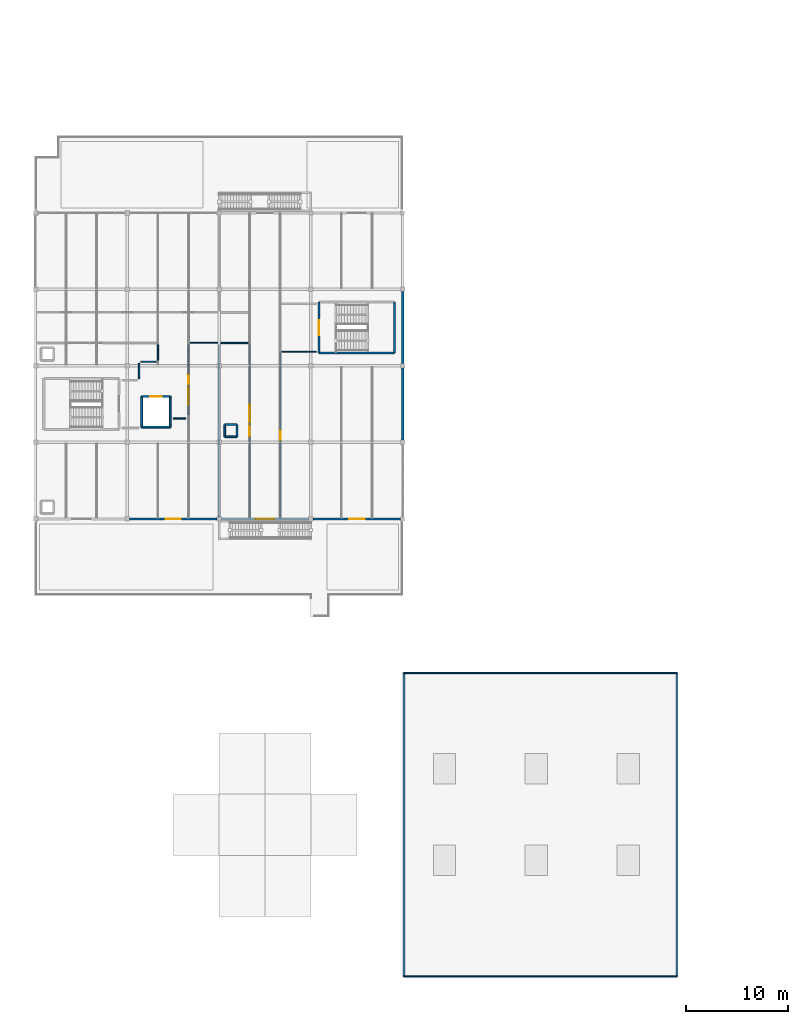
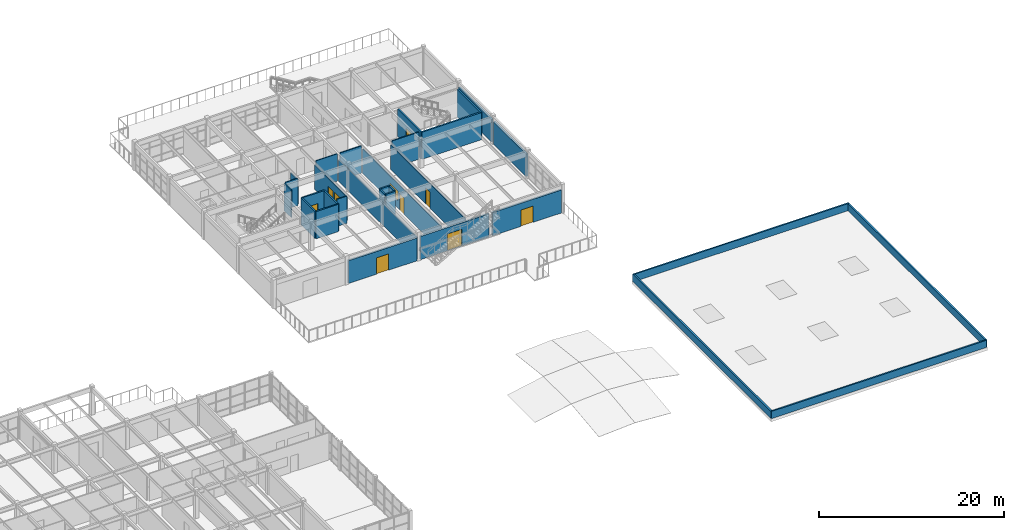
# One storey, part 38 of 45: 31 walls, 8 doors, 2 windows, 10 openings.
"""IFC4 building model written with IfcOpenShell, lengths in metres."""

from ifc_helpers import new_model, si_unit, direction, frame, frame_2d, origin, place, context, subcontext, project, spatial, rectangle, extrude, material, layer, layer_set, type_object, element, fill, save


model = new_model("IFC4")

# Units and contexts
model_context = context("Model", 3, precision=1e-05, world=origin(), true_north=direction((0.0, 1.0)))
body_context = subcontext(model_context, "Body", "Model", "MODEL_VIEW")
ifc_project = project(units=[si_unit("LENGTHUNIT", "METRE"), si_unit("AREAUNIT", "SQUARE_METRE"), si_unit("VOLUMEUNIT", "CUBIC_METRE"), si_unit("PLANEANGLEUNIT", "RADIAN"), si_unit("MASSUNIT", "GRAM", prefix="KILO")], contexts=[model_context])

# Site, building, storey
site_placement = place(None, origin())
site = spatial("IfcSite", under=ifc_project, at=site_placement, CompositionType="ELEMENT")
building_placement = place(site_placement, origin())
building = spatial("IfcBuilding", under=site, at=building_placement, Name="Marnridge Secondary College", CompositionType="ELEMENT")
storey_placement = place(building_placement, frame((0.0, 0.0, 12.300048828125)))
storey = spatial("IfcBuildingStorey", under=building, at=storey_placement, Name="L03", CompositionType="ELEMENT", Elevation=12.300048828125)

# Walls
ifc_material_1 = material(Name="Concrete C40/50 (AS 3600 N40, 40 MPa)", Category="concrete")
ifc_layer_1 = layer(ifc_material_1, 0.199951171875)
ifc_layer_set_1 = layer_set([ifc_layer_1], Name="WT-CORE-RC200")
wall_type_1 = type_object("IfcWallType", Name="WT-CORE-RC200", PredefinedType="SHEAR", material=ifc_layer_set_1)
wall_1_placement = place(storey_placement, frame((81.800048828125, 61.25, 0.0), z_axis=(0.0, 0.0, 1.0), x_axis=(1.0, 0.0, 0.0)))
element("IfcWall", 1, at=wall_1_placement, inside=storey, type_object=wall_type_1, Name="Stair core shear wall WC-L03-0285", PredefinedType="SHEAR", context=body_context, shape_type="SweptSolid", body=[
    extrude(rectangle(XDim=7.39990234375, YDim=0.199951171875, at=frame_2d((3.699951171875, 0.0))), origin(), (0.0, 0.0, 1.0), 3.58984375),
])
wall_2_placement = place(storey_placement, frame((89.199951171875, 61.25, 0.0), z_axis=(0.0, 0.0, 1.0), x_axis=(0.0, 1.0, 0.0)))
element("IfcWall", 2, at=wall_2_placement, inside=storey, type_object=wall_type_1, Name="Stair core shear wall WC-L03-0286", PredefinedType="SHEAR", context=body_context, shape_type="SweptSolid", body=[
    extrude(rectangle(XDim=5.0, YDim=0.199951171875, at=frame_2d((2.5, 0.0))), origin(), (0.0, 0.0, 1.0), 3.58984375),
])

# Wall, opening, door
wall_3_placement = place(storey_placement, frame((81.800048828125, 66.25, 0.0), z_axis=(0.0, 0.0, 1.0), x_axis=(0.0, -1.0, 0.0)))
wall_3 = element("IfcWall", 3, at=wall_3_placement, inside=storey, type_object=wall_type_1, Name="Stair core shear wall WC-L03-0288", PredefinedType="SHEAR", context=body_context, shape_type="SweptSolid", body=[
    extrude(rectangle(XDim=5.0, YDim=0.199951171875, at=frame_2d((2.5, 0.0))), origin(), (0.0, 0.0, 1.0), 3.58984375),
])
opening_1_placement = place(wall_3_placement, frame((1.75, 0.0, 0.0)))
opening_1 = element("IfcOpeningElement", 4, at=opening_1_placement, cuts=wall_3, Name="Opening DC-L03-010", PredefinedType="OPENING", context=body_context, shape_type="SweptSolid", body=[
    extrude(rectangle(XDim=1.5, YDim=2.14990234375, at=frame_2d((0.75, 1.074951171875))), frame((0.0, 0.10986328125, 0.0), z_axis=(0.0, -1.0, 0.0), x_axis=(1.0, 0.0, 0.0)), (0.0, 0.0, 1.0), 0.219970703125),
])
ifc_material_2 = material(Name="Fire-rated solid-core timber doorset", Category="wood")
door_type_1 = type_object("IfcDoorType", Name="DT-CORE-FD150", OperationType="DOUBLE_DOOR_SINGLE_SWING", PredefinedType="DOOR", material=ifc_material_2)
door_1_placement = place(opening_1_placement, origin())
door_1 = element("IfcDoor", 5, at=door_1_placement, inside=storey, type_object=door_type_1, Name="Fire stair door DC-L03-010", OperationType="DOUBLE_DOOR_SINGLE_SWING", OverallHeight=2.14990234375, OverallWidth=1.5, PredefinedType="DOOR", context=body_context, shape_type="SweptSolid", body=[
    extrude(rectangle(XDim=1.5, YDim=2.14990234375, at=frame_2d((0.75, 1.074951171875))), frame((0.0, 0.02490234375, 0.0), z_axis=(0.0, -1.0, 0.0), x_axis=(1.0, 0.0, 0.0)), (0.0, 0.0, 1.0), 0.050048828125),
])
fill(opening_1, door_1)

# Walls
ifc_material_3 = material(Name="Cross-laminated timber CL5", Category="wood")
ifc_layer_2 = layer(ifc_material_3, 0.215087890625)
ifc_layer_set_2 = layer_set([ifc_layer_2], Name="WT-EXT-CLT215")
wall_type_2 = type_object("IfcWallType", Name="WT-EXT-CLT215", PredefinedType="SOLIDWALL", material=ifc_layer_set_2)
for number, where, z_axis, x_axis, name in (
    (6, (90.0, 67.279052734375, 0.0), (0.0, 0.0, 1.0), (0.0, -1.0, 0.0), "Exterior wall WE-L03-0167"),
    (7, (90.0, 59.779052734375, 0.0), (0.0, 0.0, 1.0), (0.0, -1.0, 0.0), "Exterior wall WE-L03-0168"),
):
    element("IfcWall", number, at=place(storey_placement, frame(where, z_axis=z_axis, x_axis=x_axis)), inside=storey, type_object=wall_type_2, Name=name, PredefinedType="SOLIDWALL", context=body_context, shape_type="SweptSolid", body=[
        extrude(rectangle(XDim=7.05810546875, YDim=0.215087890625, at=frame_2d((3.529052734375, 0.0))), origin(), (0.0, 0.0, 1.0), 2.9970703125),
    ])

# Wall, opening, door
wall_4_placement = place(storey_placement, frame((89.803955078125, 45.0, 0.0), z_axis=(0.0, 0.0, 1.0), x_axis=(-1.0, 0.0, 0.0)))
wall_4 = element("IfcWall", 8, at=wall_4_placement, inside=storey, type_object=wall_type_2, Name="Exterior wall WE-L03-0169", PredefinedType="SOLIDWALL", context=body_context, shape_type="SweptSolid", body=[
    extrude(rectangle(XDim=8.5830078125, YDim=0.215087890625, at=frame_2d((4.29150390625, 0.0))), origin(), (0.0, 0.0, 1.0), 3.046875),
])
opening_2_placement = place(wall_4_placement, frame((3.54150390625, 0.0, 0.0)))
opening_2 = element("IfcOpeningElement", 9, at=opening_2_placement, cuts=wall_4, Name="Opening DE-L03-032", PredefinedType="OPENING", context=body_context, shape_type="SweptSolid", body=[
    extrude(rectangle(XDim=1.5, YDim=2.14990234375, at=frame_2d((0.75, 1.074951171875))), frame((0.0, 0.117431640625, 0.0), z_axis=(0.0, -1.0, 0.0), x_axis=(1.0, 0.0, 0.0)), (0.0, 0.0, 1.0), 0.235107421875),
])
ifc_material_4 = material(Name="Thermally broken timber-aluminium terrace doorset", Category="wood")
door_type_2 = type_object("IfcDoorType", Name="DT-EXT-TER150", OperationType="DOUBLE_DOOR_SINGLE_SWING", PredefinedType="DOOR", material=ifc_material_4)
door_2_placement = place(opening_2_placement, origin())
door_2 = element("IfcDoor", 10, at=door_2_placement, inside=storey, type_object=door_type_2, Name="Play deck access door DE-L03-032", OperationType="DOUBLE_DOOR_SINGLE_SWING", OverallHeight=2.14990234375, OverallWidth=1.5, PredefinedType="DOOR", context=body_context, shape_type="SweptSolid", body=[
    extrude(rectangle(XDim=1.5, YDim=2.14990234375, at=frame_2d((0.75, 1.074951171875))), frame((0.0, 0.02490234375, 0.0), z_axis=(0.0, -1.0, 0.0), x_axis=(1.0, 0.0, 0.0)), (0.0, 0.0, 1.0), 0.050048828125),
])
fill(opening_2, door_2)

wall_5_placement = place(storey_placement, frame((80.779052734375, 45.0, 0.0), z_axis=(0.0, 0.0, 1.0), x_axis=(-1.0, 0.0, 0.0)))
wall_5 = element("IfcWall", 11, at=wall_5_placement, inside=storey, type_object=wall_type_2, Name="Exterior wall WE-L03-0170", PredefinedType="SOLIDWALL", context=body_context, shape_type="SweptSolid", body=[
    extrude(rectangle(XDim=8.55810546875, YDim=0.215087890625, at=frame_2d((4.279052734375, 0.0))), origin(), (0.0, 0.0, 1.0), 3.046875),
])
opening_3_placement = place(wall_5_placement, frame((3.37890625, 0.0, 0.0)))
opening_3 = element("IfcOpeningElement", 12, at=opening_3_placement, cuts=wall_5, Name="Opening DE-L03-033", PredefinedType="OPENING", context=body_context, shape_type="SweptSolid", body=[
    extrude(rectangle(XDim=1.800048828125, YDim=2.199951171875, at=frame_2d((0.89990234375, 1.10009765625))), frame((0.0, 0.117431640625, 0.0), z_axis=(0.0, -1.0, 0.0), x_axis=(1.0, 0.0, 0.0)), (0.0, 0.0, 1.0), 0.235107421875),
])
ifc_material_5 = material(Name="Thermally broken timber-aluminium terrace doorset", Category="wood")
door_type_3 = type_object("IfcDoorType", Name="DT-EXT-TER180", OperationType="DOUBLE_DOOR_SINGLE_SWING", PredefinedType="DOOR", material=ifc_material_5)
door_3_placement = place(opening_3_placement, origin())
door_3 = element("IfcDoor", 13, at=door_3_placement, inside=storey, type_object=door_type_3, Name="Play deck access door DE-L03-033", OperationType="DOUBLE_DOOR_SINGLE_SWING", OverallHeight=2.199951171875, OverallWidth=1.800048828125, PredefinedType="DOOR", context=body_context, shape_type="SweptSolid", body=[
    extrude(rectangle(XDim=1.800048828125, YDim=2.199951171875, at=frame_2d((0.89990234375, 1.10009765625))), frame((0.0, 0.02490234375, 0.0), z_axis=(0.0, -1.0, 0.0), x_axis=(1.0, 0.0, 0.0)), (0.0, 0.0, 1.0), 0.050048828125),
])
fill(opening_3, door_3)

wall_6_placement = place(storey_placement, frame((71.779052734375, 45.0, 0.0), z_axis=(0.0, 0.0, 1.0), x_axis=(-1.0, 0.0, 0.0)))
wall_6 = element("IfcWall", 14, at=wall_6_placement, inside=storey, type_object=wall_type_2, Name="Exterior wall WE-L03-0171", PredefinedType="SOLIDWALL", context=body_context, shape_type="SweptSolid", body=[
    extrude(rectangle(XDim=8.55810546875, YDim=0.215087890625, at=frame_2d((4.279052734375, 0.0))), origin(), (0.0, 0.0, 1.0), 2.9970703125),
])
opening_4_placement = place(wall_6_placement, frame((3.529052734375, 0.0, 0.0)))
opening_4 = element("IfcOpeningElement", 15, at=opening_4_placement, cuts=wall_6, Name="Opening DE-L03-034", PredefinedType="OPENING", context=body_context, shape_type="SweptSolid", body=[
    extrude(rectangle(XDim=1.5, YDim=2.14990234375, at=frame_2d((0.75, 1.074951171875))), frame((0.0, 0.117431640625, 0.0), z_axis=(0.0, -1.0, 0.0), x_axis=(1.0, 0.0, 0.0)), (0.0, 0.0, 1.0), 0.235107421875),
])
door_4_placement = place(opening_4_placement, origin())
door_4 = element("IfcDoor", 16, at=door_4_placement, inside=storey, type_object=door_type_2, Name="Play deck access door DE-L03-034", OperationType="DOUBLE_DOOR_SINGLE_SWING", OverallHeight=2.14990234375, OverallWidth=1.5, PredefinedType="DOOR", context=body_context, shape_type="SweptSolid", body=[
    extrude(rectangle(XDim=1.5, YDim=2.14990234375, at=frame_2d((0.75, 1.074951171875))), frame((0.0, 0.02490234375, 0.0), z_axis=(0.0, -1.0, 0.0), x_axis=(1.0, 0.0, 0.0)), (0.0, 0.0, 1.0), 0.050048828125),
])
fill(opening_4, door_4)

# Walls
ifc_material_6 = material(Name="Precast concrete C40/50 (AS 3600 N40, 40 MPa)", Category="concrete")
ifc_layer_3 = layer(ifc_material_6, 0.179931640625)
ifc_layer_set_3 = layer_set([ifc_layer_3], Name="WT-PAR-RC180")
wall_type_3 = type_object("IfcWallType", Name="WT-PAR-RC180", PredefinedType="PARAPET", material=ifc_layer_set_3)
for number, where, z_axis, x_axis, name in (
    (17, (90.10009765625, 29.8798828125, 0.0), (0.0, 0.0, 1.0), (1.0, 0.0, 0.0), "Roof parapet WP-005"),
    (18, (116.89990234375, 0.1201171875, 0.0), (0.0, 0.0, 1.0), (-1.0, 0.0, 0.0), "Roof parapet WP-007"),
):
    element("IfcWall", number, at=place(storey_placement, frame(where, z_axis=z_axis, x_axis=x_axis)), inside=storey, type_object=wall_type_3, Name=name, PredefinedType="PARAPET", context=body_context, shape_type="SweptSolid", body=[
        extrude(rectangle(XDim=26.7998046875, YDim=0.179931640625, at=frame_2d((13.39990234375, 0.0))), origin(), (0.0, 0.0, 1.0), 0.949951171875),
    ])
ifc_material_7 = material(Name="Precast concrete C40/50 (AS 3600 N40, 40 MPa)", Category="concrete")
ifc_layer_4 = layer(ifc_material_7, 0.199951171875)
ifc_layer_set_4 = layer_set([ifc_layer_4], Name="WT-PAR-RC200")
wall_type_4 = type_object("IfcWallType", Name="WT-PAR-RC200", PredefinedType="PARAPET", material=ifc_layer_set_4)
for number, where, z_axis, x_axis, name in (
    (19, (116.8798828125, 29.89990234375, 0.0), (0.0, 0.0, 1.0), (0.0, -1.0, 0.0), "Roof parapet WP-006"),
    (20, (90.1201171875, 0.10009765625, 0.0), (0.0, 0.0, 1.0), (0.0, 1.0, 0.0), "Roof parapet WP-008"),
):
    element("IfcWall", number, at=place(storey_placement, frame(where, z_axis=z_axis, x_axis=x_axis)), inside=storey, type_object=wall_type_4, Name=name, PredefinedType="PARAPET", context=body_context, shape_type="SweptSolid", body=[
        extrude(rectangle(XDim=29.7998046875, YDim=0.199951171875, at=frame_2d((14.89990234375, 0.0))), origin(), (0.0, 0.0, 1.0), 0.949951171875),
    ])
ifc_material_8 = material(Name="Acoustic plasterboard partition Rw45", Category="gypsum")
ifc_layer_5 = layer(ifc_material_8, 0.1201171875)
ifc_layer_set_5 = layer_set([ifc_layer_5], Name="WT-PART-AC120")
wall_type_5 = type_object("IfcWallType", Name="WT-PART-AC120", PredefinedType="PARTITIONING", material=ifc_layer_set_5)
wall_7_placement = place(storey_placement, frame((68.739990234375, 54.85009765625, 0.0), z_axis=(0.0, 0.0, 1.0), x_axis=(-1.0, 0.0, 0.0)))
element("IfcWall", 21, at=wall_7_placement, inside=storey, type_object=wall_type_5, Name="Interior partition WP-L03-0331", PredefinedType="PARTITIONING", context=body_context, shape_type="SweptSolid", body=[
    extrude(rectangle(XDim=1.239990234375, YDim=0.1201171875, at=frame_2d((0.6201171875, 0.0))), origin(), (0.0, 0.0, 1.0), 3.58984375),
])

# Wall, openings, door, window
wall_8_placement = place(storey_placement, frame((75.0, 45.159912109375, 0.0), z_axis=(0.0, 0.0, 1.0), x_axis=(0.0, 1.0, 0.0)))
wall_8 = element("IfcWall", 22, at=wall_8_placement, inside=storey, type_object=wall_type_5, Name="Interior partition WP-L03-0333", PredefinedType="PARTITIONING", context=body_context, shape_type="SweptSolid", body=[
    extrude(rectangle(XDim=16.93017578125, YDim=0.1201171875, at=frame_2d((8.465087890625, 0.0))), origin(), (0.0, 0.0, 1.0), 3.221923828125),
])
opening_5_placement = place(wall_8_placement, frame((7.965087890625, 0.0, 0.0)))
opening_5 = element("IfcOpeningElement", 23, at=opening_5_placement, cuts=wall_8, Name="Opening DI-L03-0120", PredefinedType="OPENING", context=body_context, shape_type="SweptSolid", body=[
    extrude(rectangle(XDim=1.0, YDim=2.14990234375, at=frame_2d((0.5, 1.074951171875))), frame((0.0, 0.070068359375, 0.0), z_axis=(0.0, -1.0, 0.0), x_axis=(1.0, 0.0, 0.0)), (0.0, 0.0, 1.0), 0.14013671875),
])
opening_6_placement = place(wall_8_placement, frame((9.31494140625, 0.0, 1.02001953125)))
opening_6 = element("IfcOpeningElement", 24, at=opening_6_placement, cuts=wall_8, Name="Opening WNI-L03-027", PredefinedType="OPENING", context=body_context, shape_type="SweptSolid", body=[
    extrude(rectangle(XDim=1.719970703125, YDim=1.219970703125, at=frame_2d((0.85986328125, 0.60986328125))), frame((0.0, 0.070068359375, 0.0), z_axis=(0.0, -1.0, 0.0), x_axis=(1.0, 0.0, 0.0)), (0.0, 0.0, 1.0), 0.14013671875),
])
ifc_material_9 = material(Name="Solid-core acoustic hoop-pine classroom doorset", Category="wood")
door_type_4 = type_object("IfcDoorType", Name="DT-CLS-100", OperationType="NOTDEFINED", PredefinedType="DOOR", material=ifc_material_9)
door_5_placement = place(opening_5_placement, origin())
door_5 = element("IfcDoor", 25, at=door_5_placement, inside=storey, type_object=door_type_4, Name="Interior door DI-L03-0120", OperationType="SINGLE_SWING_RIGHT", OverallHeight=2.14990234375, OverallWidth=1.0, PredefinedType="DOOR", context=body_context, shape_type="SweptSolid", body=[
    extrude(rectangle(XDim=1.0, YDim=2.14990234375, at=frame_2d((0.5, 1.074951171875))), frame((0.0, 0.02490234375, 0.0), z_axis=(0.0, -1.0, 0.0), x_axis=(1.0, 0.0, 0.0)), (0.0, 0.0, 1.0), 0.050048828125),
])
fill(opening_5, door_5)
ifc_material_10 = material(Name="Acoustic laminated interior vision glazing", Category="glass")
window_type_1 = type_object("IfcWindowType", Name="WN-BL-VAR09", PartitioningType="DOUBLE_PANEL_VERTICAL", PredefinedType="WINDOW", material=ifc_material_10)
window_1_placement = place(opening_6_placement, origin())
window_1 = element("IfcWindow", 26, at=window_1_placement, inside=storey, type_object=window_type_1, Name="Interior vision window WNI-L03-027", OverallHeight=1.219970703125, OverallWidth=1.719970703125, PartitioningType="DOUBLE_PANEL_VERTICAL", PredefinedType="WINDOW", context=body_context, shape_type="SweptSolid", body=[
    extrude(rectangle(XDim=1.719970703125, YDim=1.219970703125, at=frame_2d((0.85986328125, 0.60986328125))), frame((0.0, 0.030029296875, 0.0), z_axis=(0.0, -1.0, 0.0), x_axis=(1.0, 0.0, 0.0)), (0.0, 0.0, 1.0), 0.06005859375),
])
fill(opening_6, window_1)

# Walls
wall_9_placement = place(storey_placement, frame((81.5, 61.39990234375, 0.0), z_axis=(0.0, 0.0, 1.0), x_axis=(-1.0, 0.0, 0.0)))
element("IfcWall", 27, at=wall_9_placement, inside=storey, type_object=wall_type_5, Name="Interior partition WP-L03-0335", PredefinedType="PARTITIONING", context=body_context, shape_type="SweptSolid", body=[
    extrude(rectangle(XDim=3.340087890625, YDim=0.1201171875, at=frame_2d((1.669921875, 0.0))), origin(), (0.0, 0.0, 1.0), 3.58984375),
])
wall_10_placement = place(storey_placement, frame((64.31005859375, 60.39990234375, 0.0), z_axis=(0.0, 0.0, 1.0), x_axis=(1.0, 0.0, 0.0)))
element("IfcWall", 28, at=wall_10_placement, inside=storey, type_object=wall_type_5, Name="Interior partition WP-L03-0339", PredefinedType="PARTITIONING", context=body_context, shape_type="SweptSolid", body=[
    extrude(rectangle(XDim=1.530029296875, YDim=0.1201171875, at=frame_2d((0.76513671875, 0.0))), origin(), (0.0, 0.0, 1.0), 3.58984375),
])

# Wall, openings, door, window
ifc_material_11 = material(Name="Acoustic plasterboard partition Rw48", Category="gypsum")
ifc_layer_6 = layer(ifc_material_11, 0.135009765625)
ifc_layer_set_6 = layer_set([ifc_layer_6], Name="WT-PART-AC135")
wall_type_6 = type_object("IfcWallType", Name="WT-PART-AC135", PredefinedType="PARTITIONING", material=ifc_layer_set_6)
wall_11_placement = place(storey_placement, frame((69.0, 62.090087890625, 0.0), z_axis=(0.0, 0.0, 1.0), x_axis=(0.0, -1.0, 0.0)))
wall_11 = element("IfcWall", 29, at=wall_11_placement, inside=storey, type_object=wall_type_6, Name="Interior partition WP-L03-0330", PredefinedType="PARTITIONING", context=body_context, shape_type="SweptSolid", body=[
    extrude(rectangle(XDim=6.880126953125, YDim=0.135009765625, at=frame_2d((3.43994140625, 0.0))), origin(), (0.0, 0.0, 1.0), 3.221923828125),
])
opening_7_placement = place(wall_11_placement, frame((2.93994140625, 0.0, 0.0)))
opening_7 = element("IfcOpeningElement", 30, at=opening_7_placement, cuts=wall_11, Name="Opening DI-L03-0119", PredefinedType="OPENING", context=body_context, shape_type="SweptSolid", body=[
    extrude(rectangle(XDim=1.0, YDim=2.14990234375, at=frame_2d((0.5, 1.074951171875))), frame((0.0, 0.077392578125, 0.0), z_axis=(0.0, -1.0, 0.0), x_axis=(1.0, 0.0, 0.0)), (0.0, 0.0, 1.0), 0.155029296875),
])
opening_8_placement = place(wall_11_placement, frame((4.2900390625, 0.0, 1.02001953125)))
opening_8 = element("IfcOpeningElement", 31, at=opening_8_placement, cuts=wall_11, Name="Opening WNI-L03-026", PredefinedType="OPENING", context=body_context, shape_type="SweptSolid", body=[
    extrude(rectangle(XDim=1.6201171875, YDim=1.199951171875, at=frame_2d((0.81005859375, 0.60009765625))), frame((0.0, 0.077392578125, 0.0), z_axis=(0.0, -1.0, 0.0), x_axis=(1.0, 0.0, 0.0)), (0.0, 0.0, 1.0), 0.155029296875),
])
door_6_placement = place(opening_7_placement, origin())
door_6 = element("IfcDoor", 32, at=door_6_placement, inside=storey, type_object=door_type_4, Name="Interior door DI-L03-0119", OperationType="SINGLE_SWING_LEFT", OverallHeight=2.14990234375, OverallWidth=1.0, PredefinedType="DOOR", context=body_context, shape_type="SweptSolid", body=[
    extrude(rectangle(XDim=1.0, YDim=2.14990234375, at=frame_2d((0.5, 1.074951171875))), frame((0.0, 0.02490234375, 0.0), z_axis=(0.0, -1.0, 0.0), x_axis=(1.0, 0.0, 0.0)), (0.0, 0.0, 1.0), 0.050048828125),
])
fill(opening_7, door_6)
ifc_material_12 = material(Name="Acoustic laminated interior vision glazing", Category="glass")
window_type_2 = type_object("IfcWindowType", Name="WN-BL-VAR08", PartitioningType="DOUBLE_PANEL_VERTICAL", PredefinedType="WINDOW", material=ifc_material_12)
window_2_placement = place(opening_8_placement, origin())
window_2 = element("IfcWindow", 33, at=window_2_placement, inside=storey, type_object=window_type_2, Name="Interior vision window WNI-L03-026", OverallHeight=1.199951171875, OverallWidth=1.6201171875, PartitioningType="DOUBLE_PANEL_VERTICAL", PredefinedType="WINDOW", context=body_context, shape_type="SweptSolid", body=[
    extrude(rectangle(XDim=1.6201171875, YDim=1.199951171875, at=frame_2d((0.81005859375, 0.60009765625))), frame((0.0, 0.030029296875, 0.0), z_axis=(0.0, -1.0, 0.0), x_axis=(1.0, 0.0, 0.0)), (0.0, 0.0, 1.0), 0.06005859375),
])
fill(opening_8, window_2)

# Wall
wall_12_placement = place(storey_placement, frame((74.840087890625, 62.25, 0.0), z_axis=(0.0, 0.0, 1.0), x_axis=(-1.0, 0.0, 0.0)))
element("IfcWall", 34, at=wall_12_placement, inside=storey, type_object=wall_type_6, Name="Interior partition WP-L03-0334", PredefinedType="PARTITIONING", context=body_context, shape_type="SweptSolid", body=[
    extrude(rectangle(XDim=2.68017578125, YDim=0.135009765625, at=frame_2d((1.340087890625, 0.0))), origin(), (0.0, 0.0, 1.0), 3.58984375),
])

# Wall, opening, door
wall_13_placement = place(storey_placement, frame((78.0, 61.239990234375, 0.0), z_axis=(0.0, 0.0, 1.0), x_axis=(0.0, -1.0, 0.0)))
wall_13 = element("IfcWall", 35, at=wall_13_placement, inside=storey, type_object=wall_type_6, Name="Interior partition WP-L03-0336", PredefinedType="PARTITIONING", context=body_context, shape_type="SweptSolid", body=[
    extrude(rectangle(XDim=16.080078125, YDim=0.135009765625, at=frame_2d((8.0400390625, 0.0))), origin(), (0.0, 0.0, 1.0), 3.221923828125),
])
opening_9_placement = place(wall_13_placement, frame((7.5400390625, 0.0, 0.0)))
opening_9 = element("IfcOpeningElement", 36, at=opening_9_placement, cuts=wall_13, Name="Opening DI-L03-0121", PredefinedType="OPENING", context=body_context, shape_type="SweptSolid", body=[
    extrude(rectangle(XDim=1.0, YDim=2.14990234375, at=frame_2d((0.5, 1.074951171875))), frame((0.0, 0.077392578125, 0.0), z_axis=(0.0, -1.0, 0.0), x_axis=(1.0, 0.0, 0.0)), (0.0, 0.0, 1.0), 0.155029296875),
])
door_7_placement = place(opening_9_placement, origin())
door_7 = element("IfcDoor", 37, at=door_7_placement, inside=storey, type_object=door_type_4, Name="Interior door DI-L03-0121", OperationType="SINGLE_SWING_LEFT", OverallHeight=2.14990234375, OverallWidth=1.0, PredefinedType="DOOR", context=body_context, shape_type="SweptSolid", body=[
    extrude(rectangle(XDim=1.0, YDim=2.14990234375, at=frame_2d((0.5, 1.074951171875))), frame((0.0, 0.02490234375, 0.0), z_axis=(0.0, -1.0, 0.0), x_axis=(1.0, 0.0, 0.0)), (0.0, 0.0, 1.0), 0.050048828125),
])
fill(opening_9, door_7)

# Walls
wall_14_placement = place(storey_placement, frame((64.14990234375, 58.760009765625, 0.0), z_axis=(0.0, 0.0, 1.0), x_axis=(0.0, 1.0, 0.0)))
element("IfcWall", 38, at=wall_14_placement, inside=storey, type_object=wall_type_6, Name="Interior partition WP-L03-0338", PredefinedType="PARTITIONING", context=body_context, shape_type="SweptSolid", body=[
    extrude(rectangle(XDim=1.47998046875, YDim=0.135009765625, at=frame_2d((0.739990234375, 0.0))), origin(), (0.0, 0.0, 1.0), 3.58984375),
])
wall_15_placement = place(storey_placement, frame((66.0, 60.56005859375, 0.0), z_axis=(0.0, 0.0, 1.0), x_axis=(0.0, 1.0, 0.0)))
element("IfcWall", 39, at=wall_15_placement, inside=storey, type_object=wall_type_6, Name="Interior partition WP-L03-0340", PredefinedType="PARTITIONING", context=body_context, shape_type="SweptSolid", body=[
    extrude(rectangle(XDim=1.530029296875, YDim=0.135009765625, at=frame_2d((0.76513671875, 0.0))), origin(), (0.0, 0.0, 1.0), 3.221923828125),
])
wall_16_placement = place(storey_placement, frame((72.0, 45.159912109375, 0.0), z_axis=(0.0, 0.0, 1.0), x_axis=(0.0, 1.0, 0.0)))
element("IfcWall", 40, at=wall_16_placement, inside=storey, type_object=wall_type_6, Name="Interior partition WP-L03-0346", PredefinedType="PARTITIONING", context=body_context, shape_type="SweptSolid", body=[
    extrude(rectangle(XDim=16.93017578125, YDim=0.135009765625, at=frame_2d((8.465087890625, 0.0))), origin(), (0.0, 0.0, 1.0), 2.862060546875),
])
ifc_material_13 = material(Name="Acoustic glazed studio partition system", Category="gypsum")
ifc_layer_7 = layer(ifc_material_13, 0.10009765625)
ifc_layer_set_7 = layer_set([ifc_layer_7], Name="WT-PART-GL100")
wall_type_7 = type_object("IfcWallType", Name="WT-PART-GL100", PredefinedType="PARTITIONING", material=ifc_layer_set_7)
wall_17_placement = place(storey_placement, frame((71.840087890625, 62.25, 0.0), z_axis=(0.0, 0.0, 1.0), x_axis=(-1.0, 0.0, 0.0)))
element("IfcWall", 41, at=wall_17_placement, inside=storey, type_object=wall_type_7, Name="Interior partition WP-L03-0329", PredefinedType="PARTITIONING", context=body_context, shape_type="SweptSolid", body=[
    extrude(rectangle(XDim=2.68017578125, YDim=0.10009765625, at=frame_2d((1.340087890625, 0.0))), origin(), (0.0, 0.0, 1.0), 3.58984375),
])
ifc_material_14 = material(Name="Concrete C40/50 (AS 3600 N40, 40 MPa)", Category="concrete")
ifc_layer_8 = layer(ifc_material_14, 0.179931640625)
ifc_layer_set_8 = layer_set([ifc_layer_8], Name="WT-SHAFT-RC180")
wall_type_8 = type_object("IfcWallType", Name="WT-SHAFT-RC180", PredefinedType="SHEAR", material=ifc_layer_set_8)
for number, where, z_axis, x_axis, name in (
    (42, (73.75, 53.050048828125, 0.0), (0.0, 0.0, 1.0), (-1.0, 0.0, 0.0), "Service riser shaft wall WR-L03-0185"),
    (43, (72.550048828125, 53.050048828125, 0.0), (0.0, 0.0, 1.0), (0.0, 1.0, 0.0), "Service riser shaft wall WR-L03-0186"),
    (44, (72.550048828125, 54.25, 0.0), (0.0, 0.0, 1.0), (1.0, 0.0, 0.0), "Service riser shaft wall WR-L03-0187"),
    (45, (73.75, 54.25, 0.0), (0.0, 0.0, 1.0), (0.0, -1.0, 0.0), "Service riser shaft wall WR-L03-0188"),
):
    element("IfcWall", number, at=place(storey_placement, frame(where, z_axis=z_axis, x_axis=x_axis)), inside=storey, type_object=wall_type_8, Name=name, PredefinedType="SHEAR", context=body_context, shape_type="SweptSolid", body=[
        extrude(rectangle(XDim=1.199951171875, YDim=0.179931640625, at=frame_2d((0.60009765625, 0.0))), origin(), (0.0, 0.0, 1.0), 3.58984375),
    ])
wall_18_placement = place(storey_placement, frame((67.199951171875, 54.0, 0.0), z_axis=(0.0, 0.0, 1.0), x_axis=(-1.0, 0.0, 0.0)))
element("IfcWall", 46, at=wall_18_placement, inside=storey, type_object=wall_type_8, Name="Lift shaft wall WL-L03-0421", PredefinedType="SHEAR", context=body_context, shape_type="SweptSolid", body=[
    extrude(rectangle(XDim=2.800048828125, YDim=0.179931640625, at=frame_2d((1.39990234375, 0.0))), origin(), (0.0, 0.0, 1.0), 3.58984375),
])
wall_19_placement = place(storey_placement, frame((64.39990234375, 54.0, 0.0), z_axis=(0.0, 0.0, 1.0), x_axis=(0.0, 1.0, 0.0)))
element("IfcWall", 47, at=wall_19_placement, inside=storey, type_object=wall_type_8, Name="Lift shaft wall WL-L03-0422", PredefinedType="SHEAR", context=body_context, shape_type="SweptSolid", body=[
    extrude(rectangle(XDim=3.0, YDim=0.179931640625, at=frame_2d((1.5, 0.0))), origin(), (0.0, 0.0, 1.0), 3.58984375),
])

# Wall, opening, door
wall_20_placement = place(storey_placement, frame((64.39990234375, 57.0, 0.0), z_axis=(0.0, 0.0, 1.0), x_axis=(1.0, 0.0, 0.0)))
wall_20 = element("IfcWall", 48, at=wall_20_placement, inside=storey, type_object=wall_type_8, Name="Lift shaft wall WL-L03-0423", PredefinedType="SHEAR", context=body_context, shape_type="SweptSolid", body=[
    extrude(rectangle(XDim=2.800048828125, YDim=0.179931640625, at=frame_2d((1.39990234375, 0.0))), origin(), (0.0, 0.0, 1.0), 3.58984375),
])
opening_10_placement = place(wall_20_placement, frame((0.85009765625, 0.0, 0.0)))
opening_10 = element("IfcOpeningElement", 49, at=opening_10_placement, cuts=wall_20, Name="Opening LD-LC-01-L03", PredefinedType="OPENING", context=body_context, shape_type="SweptSolid", body=[
    extrude(rectangle(XDim=1.10009765625, YDim=2.14990234375, at=frame_2d((0.550048828125, 1.074951171875))), frame((0.0, 0.099853515625, 0.0), z_axis=(0.0, -1.0, 0.0), x_axis=(1.0, 0.0, 0.0)), (0.0, 0.0, 1.0), 0.199951171875),
])
ifc_material_15 = material(Name="Stainless steel Grade 350 automatic sliding lift landing doorset", Category="steel")
door_type_5 = type_object("IfcDoorType", Name="DT-LIFT-LD110", OperationType="SLIDING_TO_LEFT", PredefinedType="DOOR", material=ifc_material_15)
door_8_placement = place(opening_10_placement, origin())
door_8 = element("IfcDoor", 50, at=door_8_placement, inside=storey, type_object=door_type_5, Name="Sliding lift landing door LD-LC-01-L03", OperationType="SLIDING_TO_LEFT", OverallHeight=2.14990234375, OverallWidth=1.10009765625, PredefinedType="DOOR", context=body_context, shape_type="SweptSolid", body=[
    extrude(rectangle(XDim=1.10009765625, YDim=2.14990234375, at=frame_2d((0.550048828125, 1.074951171875))), frame((0.0, 0.02490234375, 0.0), z_axis=(0.0, -1.0, 0.0), x_axis=(1.0, 0.0, 0.0)), (0.0, 0.0, 1.0), 0.050048828125),
])
fill(opening_10, door_8)

# Wall
wall_21_placement = place(storey_placement, frame((67.199951171875, 57.0, 0.0), z_axis=(0.0, 0.0, 1.0), x_axis=(0.0, -1.0, 0.0)))
element("IfcWall", 51, at=wall_21_placement, inside=storey, type_object=wall_type_8, Name="Lift shaft wall WL-L03-0424", PredefinedType="SHEAR", context=body_context, shape_type="SweptSolid", body=[
    extrude(rectangle(XDim=3.0, YDim=0.179931640625, at=frame_2d((1.5, 0.0))), origin(), (0.0, 0.0, 1.0), 3.58984375),
])

save(model, "model.ifc")
